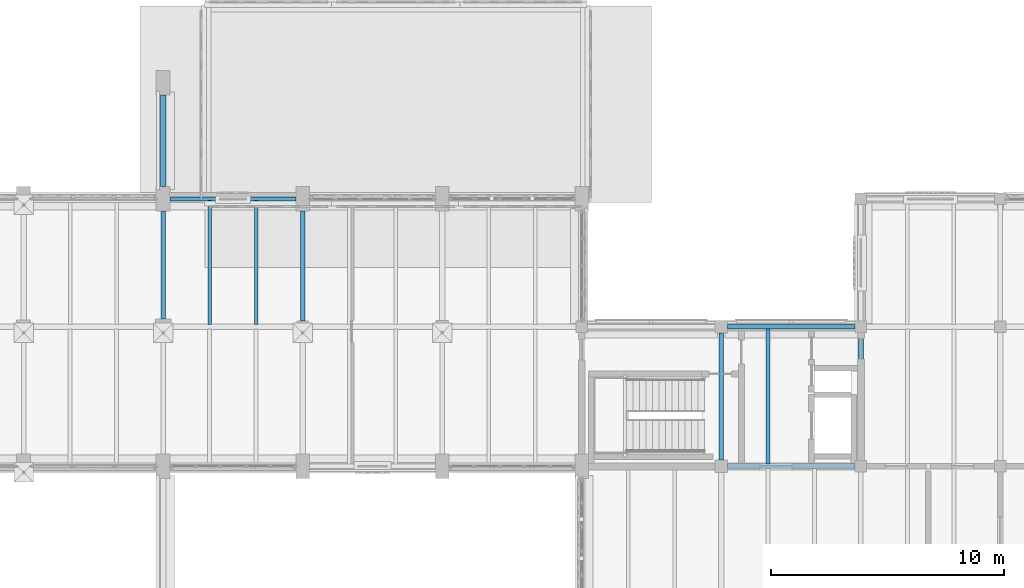
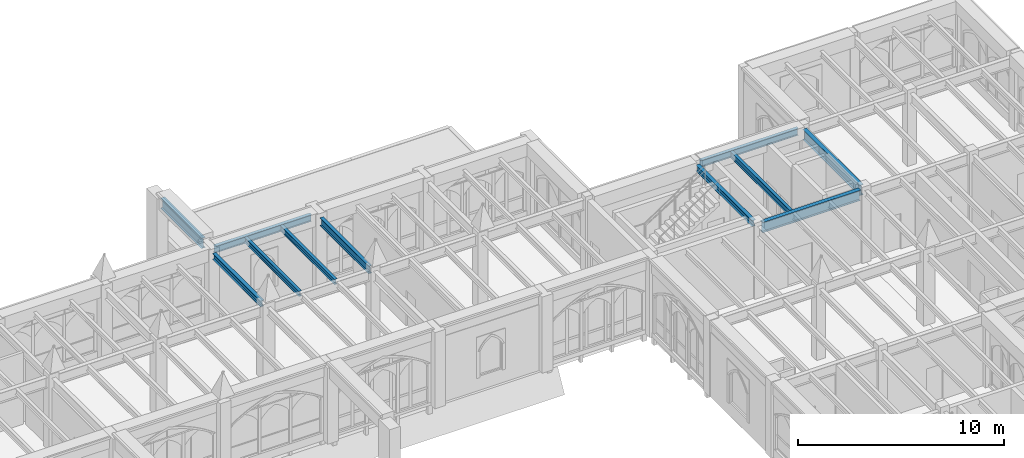
# One storey, part 66 of 143: 11 beams.
"""IFC4 building model written with IfcOpenShell, lengths in metres."""

from ifc_helpers import new_model, si_unit, direction, frame, origin, origin_2d, place, context, subcontext, project, spatial, i_section, extrude, material, material_profile, profile_set, type_object, element, save


model = new_model("IFC4")

# Units and contexts
model_context = context("Model", 3, precision=1e-05, world=origin(), true_north=direction((0.0, 1.0)))
body_context = subcontext(model_context, "Body", "Model", "MODEL_VIEW")
ifc_project = project(units=[si_unit("LENGTHUNIT", "METRE"), si_unit("AREAUNIT", "SQUARE_METRE"), si_unit("VOLUMEUNIT", "CUBIC_METRE"), si_unit("PLANEANGLEUNIT", "RADIAN"), si_unit("MASSUNIT", "GRAM", prefix="KILO")], contexts=[model_context])

# Site, building, storey
site_placement = place(None, origin())
site = spatial("IfcSite", under=ifc_project, at=site_placement, CompositionType="ELEMENT")
building_placement = place(site_placement, origin())
building = spatial("IfcBuilding", under=site, at=building_placement, Name="Cumevento Cable Car Station", CompositionType="ELEMENT")
storey_placement = place(building_placement, frame((0.0, 0.0, 9.0)))
storey = spatial("IfcBuildingStorey", under=building, at=storey_placement, Name="L03", CompositionType="ELEMENT", Elevation=9.0)

# Beams
ifc_material_1 = material(Name="Steel ASTM A572 Grade 50", Category="steel")
ifc_material_profile_1 = material_profile(ifc_material_1, i_section(OverallWidth=0.22998046875, OverallDepth=0.616943359375, WebThickness=0.01318359375, FlangeThickness=0.022216796875, at=origin_2d()), Name="W610x140.0")
ifc_profile_set_1 = profile_set([ifc_material_profile_1], Name="Steel ASTM A572 Grade 50")
beam_type_1 = type_object("IfcBeamType", Name="Structural Beam BM-01 W610x140.0", PredefinedType="BEAM", material=ifc_profile_set_1)
beam_1_placement = place(storey_placement, frame((124.27490234375, 45.0, 3.95556640625), z_axis=(1.0, 0.0, 0.0), x_axis=(0.0, 1.0, 0.0)))
element("IfcBeam", 1, at=beam_1_placement, inside=storey, type_object=beam_type_1, Name="Beam BM-01 L03 #1154", PredefinedType="BEAM", context=body_context, shape_type="SweptSolid", body=[
    extrude(i_section(OverallWidth=0.22998046875, OverallDepth=0.616943359375, WebThickness=0.01318359375, FlangeThickness=0.022216796875, at=origin_2d()), origin(), (0.0, 0.0, 1.0), 5.47509765625),
])
ifc_material_2 = material(Name="Steel ASTM A572 Grade 50", Category="steel")
ifc_material_profile_2 = material_profile(ifc_material_2, i_section(OverallWidth=0.22802734375, OverallDepth=0.60791015625, WebThickness=0.01123046875, FlangeThickness=0.017333984375, at=origin_2d()), Name="W610x113.0")
ifc_profile_set_2 = profile_set([ifc_material_profile_2], Name="Steel ASTM A572 Grade 50")
beam_type_2 = type_object("IfcBeamType", Name="Structural Beam BM-02 W610x113.0", PredefinedType="BEAM", material=ifc_profile_set_2)
beam_2_placement = place(storey_placement, frame((130.0, 45.25, 3.9599609375), z_axis=(0.0, 1.0, 0.0), x_axis=(-1.0, 0.0, 0.0)))
element("IfcBeam", 2, at=beam_2_placement, inside=storey, type_object=beam_type_2, Name="Beam BM-02 L03 #1192", PredefinedType="BEAM", context=body_context, shape_type="SweptSolid", body=[
    extrude(i_section(OverallWidth=0.22802734375, OverallDepth=0.60791015625, WebThickness=0.01123046875, FlangeThickness=0.017333984375, at=origin_2d()), origin(), (0.0, 0.0, 1.0), 5.5),
])
beam_3_placement = place(storey_placement, frame((100.0, 57.02490234375, 4.196044921875), z_axis=(0.0, 1.0, 0.0), x_axis=(-1.0, 0.0, 0.0)))
element("IfcBeam", 3, at=beam_3_placement, inside=storey, type_object=beam_type_2, Name="North Uphill Summit Ropeway Cabin Portal Buttress Tie Girder L03 #84", PredefinedType="BEAM", context=body_context, shape_type="SweptSolid", body=[
    extrude(i_section(OverallWidth=0.22802734375, OverallDepth=0.60791015625, WebThickness=0.01123046875, FlangeThickness=0.017333984375, at=origin_2d()), origin(), (0.0, 0.0, 1.0), 3.9501953125),
])
ifc_material_3 = material(Name="Steel ASTM A572 Grade 50", Category="steel")
ifc_material_profile_3 = material_profile(ifc_material_3, i_section(OverallWidth=0.18994140625, OverallDepth=0.45703125, WebThickness=0.009033203125, FlangeThickness=0.014404296875, at=origin_2d()), Name="W460x74.0")
ifc_profile_set_3 = profile_set([ifc_material_profile_3], Name="Steel ASTM A572 Grade 50")
beam_type_3 = type_object("IfcBeamType", Name="Structural Beam BM-04 W460x74.0", PredefinedType="BEAM", material=ifc_profile_set_3)
beam_4_placement = place(storey_placement, frame((106.0, 51.25, 4.0234375), z_axis=(0.0, 1.0, 0.0), x_axis=(-1.0, 0.0, 0.0)))
element("IfcBeam", 4, at=beam_4_placement, inside=storey, type_object=beam_type_3, Name="Beam BM-04 L03 #1103", PredefinedType="BEAM", context=body_context, shape_type="SweptSolid", body=[
    extrude(i_section(OverallWidth=0.18994140625, OverallDepth=0.45703125, WebThickness=0.009033203125, FlangeThickness=0.014404296875, at=origin_2d()), origin(), (0.0, 0.0, 1.0), 4.72509765625),
])
ifc_material_4 = material(Name="Steel ASTM A572 Grade 50", Category="steel")
ifc_material_profile_4 = material_profile(ifc_material_4, i_section(OverallWidth=0.205078125, OverallDepth=0.35400390625, WebThickness=0.009521484375, FlangeThickness=0.016845703125, at=origin_2d()), Name="W360x79.0")
ifc_profile_set_4 = profile_set([ifc_material_profile_4], Name="Steel ASTM A572 Grade 50")
beam_type_4 = type_object("IfcBeamType", Name="Structural Beam BM-05 W360x79.0", PredefinedType="BEAM", material=ifc_profile_set_4)
beam_5_placement = place(storey_placement, frame((100.0, 51.324951171875, 4.074951171875), z_axis=(0.0, 1.0, 0.0), x_axis=(-1.0, 0.0, 0.0)))
element("IfcBeam", 5, at=beam_5_placement, inside=storey, type_object=beam_type_4, Name="Beam BM-05 L03 #1101", PredefinedType="BEAM", context=body_context, shape_type="SweptSolid", body=[
    extrude(i_section(OverallWidth=0.205078125, OverallDepth=0.35400390625, WebThickness=0.009521484375, FlangeThickness=0.016845703125, at=origin_2d()), origin(), (0.0, 0.0, 1.0), 4.650146484375),
])
beam_6_placement = place(storey_placement, frame((124.0, 45.27490234375, 4.0869140625), z_axis=(0.0, 1.0, 0.0), x_axis=(-1.0, 0.0, 0.0)))
element("IfcBeam", 6, at=beam_6_placement, inside=storey, type_object=beam_type_4, Name="Beam BM-05 L03 #1191", PredefinedType="BEAM", context=body_context, shape_type="SweptSolid", body=[
    extrude(i_section(OverallWidth=0.205078125, OverallDepth=0.35400390625, WebThickness=0.009521484375, FlangeThickness=0.016845703125, at=origin_2d()), origin(), (0.0, 0.0, 1.0), 5.4501953125),
])
ifc_material_5 = material(Name="Steel ASTM A572 Grade 50", Category="steel")
ifc_material_profile_5 = material_profile(ifc_material_5, i_section(OverallWidth=0.1708984375, OverallDepth=0.35498046875, WebThickness=0.007080078125, FlangeThickness=0.01171875, at=origin_2d()), Name="W360x51.0")
ifc_profile_set_5 = profile_set([ifc_material_profile_5], Name="Steel ASTM A572 Grade 50")
beam_type_5 = type_object("IfcBeamType", Name="Structural Joist JS-01 W360x51.0", PredefinedType="JOIST", material=ifc_profile_set_5)
beam_7_placement = place(storey_placement, frame((126.0, 45.10302734375, 4.08642578125), z_axis=(0.0, 1.0, 0.0), x_axis=(-1.0, 0.0, 0.0)))
element("IfcBeam", 7, at=beam_7_placement, inside=storey, type_object=beam_type_5, Name="Composite Floor Joist JS-01 L03 #1333", PredefinedType="JOIST", context=body_context, shape_type="SweptSolid", body=[
    extrude(i_section(OverallWidth=0.1708984375, OverallDepth=0.35498046875, WebThickness=0.007080078125, FlangeThickness=0.01171875, at=origin_2d()), origin(), (0.0, 0.0, 1.0), 5.820068359375),
])
ifc_material_6 = material(Name="Steel ASTM A572 Grade 50", Category="steel")
ifc_material_profile_6 = material_profile(ifc_material_6, i_section(OverallWidth=0.1669921875, OverallDepth=0.31689453125, WebThickness=0.007568359375, FlangeThickness=0.01318359375, at=origin_2d()), Name="W310x52.0")
ifc_profile_set_6 = profile_set([ifc_material_profile_6], Name="Steel ASTM A572 Grade 50")
beam_type_6 = type_object("IfcBeamType", Name="Structural Joist JS-02 W310x52.0", PredefinedType="JOIST", material=ifc_profile_set_6)
for number, where, z_axis, x_axis, name in (
    (8, (102.0, 51.10302734375, 4.093505859375), (0.0, 1.0, 0.0), (-1.0, 0.0, 0.0), "Composite Floor Joist JS-02 L03 #1273"),
    (9, (104.0, 51.10302734375, 4.093505859375), (0.0, 1.0, 0.0), (-1.0, 0.0, 0.0), "Composite Floor Joist JS-02 L03 #1275"),
):
    element("IfcBeam", number, at=place(storey_placement, frame(where, z_axis=z_axis, x_axis=x_axis)), inside=storey, type_object=beam_type_6, Name=name, PredefinedType="JOIST", context=body_context, shape_type="SweptSolid", body=[
        extrude(i_section(OverallWidth=0.1669921875, OverallDepth=0.31689453125, WebThickness=0.007568359375, FlangeThickness=0.01318359375, at=origin_2d()), origin(), (0.0, 0.0, 1.0), 5.320068359375),
    ])
ifc_material_7 = material(Name="Steel ASTM A572 Grade 50", Category="steel")
ifc_material_profile_7 = material_profile(ifc_material_7, i_section(OverallWidth=0.177978515625, OverallDepth=0.406982421875, WebThickness=0.0078125, FlangeThickness=0.0126953125, at=origin_2d()), Name="W410x60.0")
ifc_profile_set_7 = profile_set([ifc_material_profile_7], Name="Steel ASTM A572 Grade 50")
beam_type_7 = type_object("IfcBeamType", Name="Structural Spandrel SP-01 W410x60.0", PredefinedType="SPANDREL", material=ifc_profile_set_7)
beam_8_placement = place(storey_placement, frame((100.300048828125, 56.5, 4.048583984375), z_axis=(1.0, 0.0, 0.0), x_axis=(0.0, 1.0, 0.0)))
element("IfcBeam", 10, at=beam_8_placement, inside=storey, type_object=beam_type_7, Name="Beam SP-01 L03 #1095", PredefinedType="SPANDREL", context=body_context, shape_type="SweptSolid", body=[
    extrude(i_section(OverallWidth=0.177978515625, OverallDepth=0.406982421875, WebThickness=0.0078125, FlangeThickness=0.0126953125, at=origin_2d()), origin(), (0.0, 0.0, 1.0), 5.39990234375),
])
beam_9_placement = place(storey_placement, frame((124.27490234375, 51.0, 4.060546875), z_axis=(1.0, 0.0, 0.0), x_axis=(0.0, 1.0, 0.0)))
element("IfcBeam", 11, at=beam_9_placement, inside=storey, type_object=beam_type_7, Name="Beam SP-01 L03 #1190", PredefinedType="SPANDREL", context=body_context, shape_type="SweptSolid", body=[
    extrude(i_section(OverallWidth=0.177978515625, OverallDepth=0.406982421875, WebThickness=0.0078125, FlangeThickness=0.0126953125, at=origin_2d()), origin(), (0.0, 0.0, 1.0), 5.47509765625),
])

save(model, "model.ifc")
